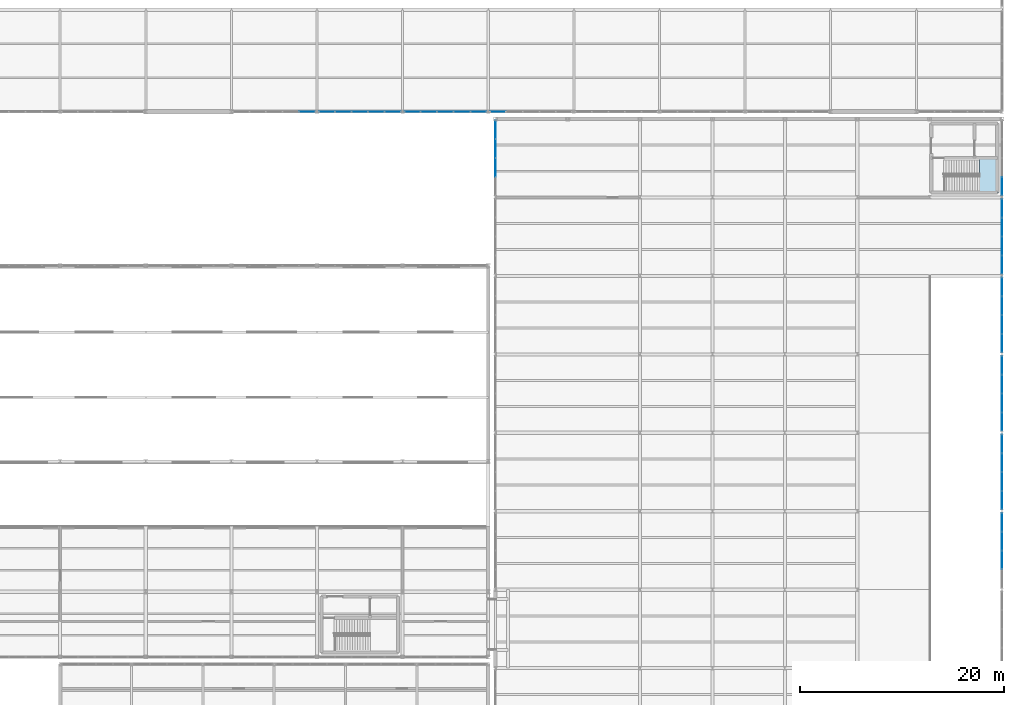
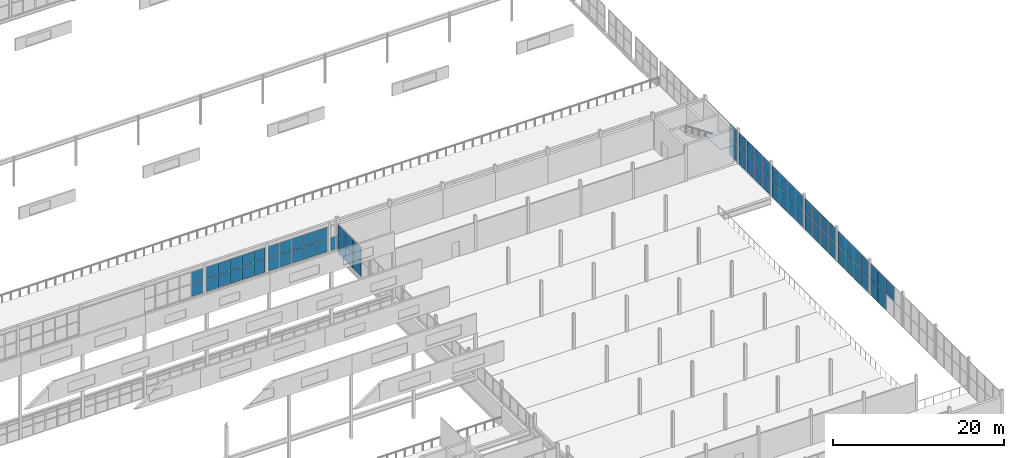
# One storey, part 189 of 218: 68 plates, 1 slab, 12 elements without a shape of their own.
"""IFC4 building model written with IfcOpenShell, lengths in metres."""

from ifc_helpers import new_model, si_unit, direction, frame, origin, origin_2d, place, context, subcontext, project, spatial, polyline, rectangle, outline, extrude, material, layer, layer_set, type_object, element, aggregate, save


model = new_model("IFC4")

# Units and contexts
model_context = context("Model", 3, precision=1e-05, world=origin(), true_north=direction((0.0, 1.0)))
body_context = subcontext(model_context, "Body", "Model", "MODEL_VIEW")
ifc_project = project(units=[si_unit("LENGTHUNIT", "METRE"), si_unit("AREAUNIT", "SQUARE_METRE"), si_unit("VOLUMEUNIT", "CUBIC_METRE"), si_unit("PLANEANGLEUNIT", "RADIAN"), si_unit("MASSUNIT", "GRAM", prefix="KILO")], contexts=[model_context])

# Site, building, storey
site_placement = place(None, origin())
site = spatial("IfcSite", under=ifc_project, at=site_placement, CompositionType="ELEMENT")
building_placement = place(site_placement, origin())
building = spatial("IfcBuilding", under=site, at=building_placement, Name="Kazenagashi Tramway Depot", CompositionType="ELEMENT")
storey_placement = place(building_placement, frame((0.0, 0.0, 6.0)))
storey = spatial("IfcBuildingStorey", under=building, at=storey_placement, Name="L02", CompositionType="ELEMENT", Elevation=6.0)

# Curtain wall, plates
ifc_material_1 = material(Name="Anodised Aluminium and Low-E Glazing", Category="aluminium")
curtain_wall_type_1 = type_object("IfcCurtainWallType", Name="CW-23", PredefinedType="USERDEFINED", material=ifc_material_1)
curtain_wall_1_placement = place(storey_placement, origin())
curtain_wall_1 = element("IfcCurtainWall", 1, at=curtain_wall_1_placement, inside=storey, type_object=curtain_wall_type_1, Name="Industrial Glazed Screen CW-23 CW-0129", ObjectType="GLAZED SCREEN", PredefinedType="USERDEFINED")
ifc_material_2 = material(Name="Tempered Laminated Low-E Glass", Category="glass")
ifc_layer_1 = layer(ifc_material_2, 0.016)
ifc_layer_set_1 = layer_set([ifc_layer_1], Name="Tempered Laminated Low-E Glass")
plate_type_1 = type_object("IfcPlateType", Name="GL-01", PredefinedType="CURTAIN_PANEL", material=ifc_layer_set_1)
plate_1_placement = place(storey_placement, frame((196.0, 31.8825, 0.06), z_axis=(0.0, 0.0, 1.0), x_axis=(0.0, 1.0, 0.0)))
plate_1 = element("IfcPlate", 2, at=plate_1_placement, type_object=plate_type_1, Name="CW-23 panel 1.1", PredefinedType="CURTAIN_PANEL", context=body_context, shape_type="SweptSolid", body=[
    extrude(rectangle(XDim=1.765, YDim=0.016, at=origin_2d()), origin(), (0.0, 0.0, 1.0), 2.302),
])
plate_2_placement = place(storey_placement, frame((196.0, 31.8825, 2.422), z_axis=(0.0, 0.0, 1.0), x_axis=(0.0, 1.0, 0.0)))
plate_2 = element("IfcPlate", 3, at=plate_2_placement, type_object=plate_type_1, Name="CW-23 panel 1.2", PredefinedType="CURTAIN_PANEL", context=body_context, shape_type="SweptSolid", body=[
    extrude(rectangle(XDim=1.765, YDim=0.016, at=origin_2d()), origin(), (0.0, 0.0, 1.0), 2.118),
])
plate_3_placement = place(storey_placement, frame((196.0, 33.7225, 0.06), z_axis=(0.0, 0.0, 1.0), x_axis=(0.0, 1.0, 0.0)))
plate_3 = element("IfcPlate", 4, at=plate_3_placement, type_object=plate_type_1, Name="CW-23 panel 2.1", PredefinedType="CURTAIN_PANEL", context=body_context, shape_type="SweptSolid", body=[
    extrude(rectangle(XDim=1.795, YDim=0.016, at=origin_2d()), origin(), (0.0, 0.0, 1.0), 2.302),
])
plate_4_placement = place(storey_placement, frame((196.0, 33.7225, 2.422), z_axis=(0.0, 0.0, 1.0), x_axis=(0.0, 1.0, 0.0)))
plate_4 = element("IfcPlate", 5, at=plate_4_placement, type_object=plate_type_1, Name="CW-23 panel 2.2", PredefinedType="CURTAIN_PANEL", context=body_context, shape_type="SweptSolid", body=[
    extrude(rectangle(XDim=1.795, YDim=0.016, at=origin_2d()), origin(), (0.0, 0.0, 1.0), 2.118),
])
plate_5_placement = place(storey_placement, frame((196.0, 35.5775, 0.06), z_axis=(0.0, 0.0, 1.0), x_axis=(0.0, 1.0, 0.0)))
plate_5 = element("IfcPlate", 6, at=plate_5_placement, type_object=plate_type_1, Name="CW-23 panel 3.1", PredefinedType="CURTAIN_PANEL", context=body_context, shape_type="SweptSolid", body=[
    extrude(rectangle(XDim=1.795, YDim=0.016, at=origin_2d()), origin(), (0.0, 0.0, 1.0), 2.302),
])
plate_6_placement = place(storey_placement, frame((196.0, 35.5775, 2.422), z_axis=(0.0, 0.0, 1.0), x_axis=(0.0, 1.0, 0.0)))
plate_6 = element("IfcPlate", 7, at=plate_6_placement, type_object=plate_type_1, Name="CW-23 panel 3.2", PredefinedType="CURTAIN_PANEL", context=body_context, shape_type="SweptSolid", body=[
    extrude(rectangle(XDim=1.795, YDim=0.016, at=origin_2d()), origin(), (0.0, 0.0, 1.0), 2.118),
])
plate_7_placement = place(storey_placement, frame((196.0, 37.4175, 0.06), z_axis=(0.0, 0.0, 1.0), x_axis=(0.0, 1.0, 0.0)))
plate_7 = element("IfcPlate", 8, at=plate_7_placement, type_object=plate_type_1, Name="CW-23 panel 4.1", PredefinedType="CURTAIN_PANEL", context=body_context, shape_type="SweptSolid", body=[
    extrude(rectangle(XDim=1.765, YDim=0.016, at=origin_2d()), origin(), (0.0, 0.0, 1.0), 2.302),
])
plate_8_placement = place(storey_placement, frame((196.0, 37.4175, 2.422), z_axis=(0.0, 0.0, 1.0), x_axis=(0.0, 1.0, 0.0)))
plate_8 = element("IfcPlate", 9, at=plate_8_placement, type_object=plate_type_1, Name="CW-23 panel 4.2", PredefinedType="CURTAIN_PANEL", context=body_context, shape_type="SweptSolid", body=[
    extrude(rectangle(XDim=1.765, YDim=0.016, at=origin_2d()), origin(), (0.0, 0.0, 1.0), 2.118),
])
aggregate(curtain_wall_1, [plate_1, plate_2, plate_3, plate_4, plate_5, plate_6, plate_7, plate_8])

curtain_wall_2_placement = place(storey_placement, origin())
curtain_wall_2 = element("IfcCurtainWall", 10, at=curtain_wall_2_placement, inside=storey, type_object=curtain_wall_type_1, Name="Industrial Glazed Screen CW-23 CW-0130", ObjectType="GLAZED SCREEN", PredefinedType="USERDEFINED")
ifc_layer_2 = layer(ifc_material_2, 0.018)
ifc_layer_set_2 = layer_set([ifc_layer_2], Name="Tempered Laminated Low-E Glass")
plate_type_2 = type_object("IfcPlateType", Name="GL-02", PredefinedType="CURTAIN_PANEL", material=ifc_layer_set_2)
plate_9_placement = place(storey_placement, frame((196.0, 39.5825, 0.06), z_axis=(0.0, 0.0, 1.0), x_axis=(0.0, 1.0, 0.0)))
plate_9 = element("IfcPlate", 11, at=plate_9_placement, type_object=plate_type_2, Name="CW-23 panel 1.1", PredefinedType="CURTAIN_PANEL", context=body_context, shape_type="SweptSolid", body=[
    extrude(rectangle(XDim=1.765, YDim=0.018, at=origin_2d()), origin(), (0.0, 0.0, 1.0), 2.302),
])
plate_10_placement = place(storey_placement, frame((196.0, 39.5825, 2.422), z_axis=(0.0, 0.0, 1.0), x_axis=(0.0, 1.0, 0.0)))
plate_10 = element("IfcPlate", 12, at=plate_10_placement, type_object=plate_type_2, Name="CW-23 panel 1.2", PredefinedType="CURTAIN_PANEL", context=body_context, shape_type="SweptSolid", body=[
    extrude(rectangle(XDim=1.765, YDim=0.018, at=origin_2d()), origin(), (0.0, 0.0, 1.0), 2.118),
])
plate_11_placement = place(storey_placement, frame((196.0, 41.4225, 0.06), z_axis=(0.0, 0.0, 1.0), x_axis=(0.0, 1.0, 0.0)))
plate_11 = element("IfcPlate", 13, at=plate_11_placement, type_object=plate_type_2, Name="CW-23 panel 2.1", PredefinedType="CURTAIN_PANEL", context=body_context, shape_type="SweptSolid", body=[
    extrude(rectangle(XDim=1.795, YDim=0.018, at=origin_2d()), origin(), (0.0, 0.0, 1.0), 2.302),
])
plate_12_placement = place(storey_placement, frame((196.0, 41.4225, 2.422), z_axis=(0.0, 0.0, 1.0), x_axis=(0.0, 1.0, 0.0)))
plate_12 = element("IfcPlate", 14, at=plate_12_placement, type_object=plate_type_2, Name="CW-23 panel 2.2", PredefinedType="CURTAIN_PANEL", context=body_context, shape_type="SweptSolid", body=[
    extrude(rectangle(XDim=1.795, YDim=0.018, at=origin_2d()), origin(), (0.0, 0.0, 1.0), 2.118),
])
plate_13_placement = place(storey_placement, frame((196.0, 43.2775, 0.06), z_axis=(0.0, 0.0, 1.0), x_axis=(0.0, 1.0, 0.0)))
plate_13 = element("IfcPlate", 15, at=plate_13_placement, type_object=plate_type_2, Name="CW-23 panel 3.1", PredefinedType="CURTAIN_PANEL", context=body_context, shape_type="SweptSolid", body=[
    extrude(rectangle(XDim=1.795, YDim=0.018, at=origin_2d()), origin(), (0.0, 0.0, 1.0), 2.302),
])
plate_14_placement = place(storey_placement, frame((196.0, 43.2775, 2.422), z_axis=(0.0, 0.0, 1.0), x_axis=(0.0, 1.0, 0.0)))
plate_14 = element("IfcPlate", 16, at=plate_14_placement, type_object=plate_type_2, Name="CW-23 panel 3.2", PredefinedType="CURTAIN_PANEL", context=body_context, shape_type="SweptSolid", body=[
    extrude(rectangle(XDim=1.795, YDim=0.018, at=origin_2d()), origin(), (0.0, 0.0, 1.0), 2.118),
])
plate_15_placement = place(storey_placement, frame((196.0, 45.1175, 0.06), z_axis=(0.0, 0.0, 1.0), x_axis=(0.0, 1.0, 0.0)))
plate_15 = element("IfcPlate", 17, at=plate_15_placement, type_object=plate_type_2, Name="CW-23 panel 4.1", PredefinedType="CURTAIN_PANEL", context=body_context, shape_type="SweptSolid", body=[
    extrude(rectangle(XDim=1.765, YDim=0.018, at=origin_2d()), origin(), (0.0, 0.0, 1.0), 2.302),
])
plate_16_placement = place(storey_placement, frame((196.0, 45.1175, 2.422), z_axis=(0.0, 0.0, 1.0), x_axis=(0.0, 1.0, 0.0)))
plate_16 = element("IfcPlate", 18, at=plate_16_placement, type_object=plate_type_2, Name="CW-23 panel 4.2", PredefinedType="CURTAIN_PANEL", context=body_context, shape_type="SweptSolid", body=[
    extrude(rectangle(XDim=1.765, YDim=0.018, at=origin_2d()), origin(), (0.0, 0.0, 1.0), 2.118),
])
aggregate(curtain_wall_2, [plate_9, plate_10, plate_11, plate_12, plate_13, plate_14, plate_15, plate_16])

curtain_wall_3_placement = place(storey_placement, origin())
curtain_wall_3 = element("IfcCurtainWall", 19, at=curtain_wall_3_placement, inside=storey, type_object=curtain_wall_type_1, Name="Industrial Glazed Screen CW-23 CW-0131", ObjectType="GLAZED SCREEN", PredefinedType="USERDEFINED")
ifc_layer_3 = layer(ifc_material_2, 0.02)
ifc_layer_set_3 = layer_set([ifc_layer_3], Name="Tempered Laminated Low-E Glass")
plate_type_3 = type_object("IfcPlateType", Name="GL-03", PredefinedType="CURTAIN_PANEL", material=ifc_layer_set_3)
plate_17_placement = place(storey_placement, frame((196.0, 47.2825, 0.06), z_axis=(0.0, 0.0, 1.0), x_axis=(0.0, 1.0, 0.0)))
plate_17 = element("IfcPlate", 20, at=plate_17_placement, type_object=plate_type_3, Name="CW-23 panel 1.1", PredefinedType="CURTAIN_PANEL", context=body_context, shape_type="SweptSolid", body=[
    extrude(rectangle(XDim=1.765, YDim=0.02, at=origin_2d()), origin(), (0.0, 0.0, 1.0), 2.302),
])
plate_18_placement = place(storey_placement, frame((196.0, 47.2825, 2.422), z_axis=(0.0, 0.0, 1.0), x_axis=(0.0, 1.0, 0.0)))
plate_18 = element("IfcPlate", 21, at=plate_18_placement, type_object=plate_type_3, Name="CW-23 panel 1.2", PredefinedType="CURTAIN_PANEL", context=body_context, shape_type="SweptSolid", body=[
    extrude(rectangle(XDim=1.765, YDim=0.02, at=origin_2d()), origin(), (0.0, 0.0, 1.0), 2.118),
])
plate_19_placement = place(storey_placement, frame((196.0, 49.1225, 0.06), z_axis=(0.0, 0.0, 1.0), x_axis=(0.0, 1.0, 0.0)))
plate_19 = element("IfcPlate", 22, at=plate_19_placement, type_object=plate_type_3, Name="CW-23 panel 2.1", PredefinedType="CURTAIN_PANEL", context=body_context, shape_type="SweptSolid", body=[
    extrude(rectangle(XDim=1.795, YDim=0.02, at=origin_2d()), origin(), (0.0, 0.0, 1.0), 2.302),
])
plate_20_placement = place(storey_placement, frame((196.0, 49.1225, 2.422), z_axis=(0.0, 0.0, 1.0), x_axis=(0.0, 1.0, 0.0)))
plate_20 = element("IfcPlate", 23, at=plate_20_placement, type_object=plate_type_3, Name="CW-23 panel 2.2", PredefinedType="CURTAIN_PANEL", context=body_context, shape_type="SweptSolid", body=[
    extrude(rectangle(XDim=1.795, YDim=0.02, at=origin_2d()), origin(), (0.0, 0.0, 1.0), 2.118),
])
plate_21_placement = place(storey_placement, frame((196.0, 50.9775, 0.06), z_axis=(0.0, 0.0, 1.0), x_axis=(0.0, 1.0, 0.0)))
plate_21 = element("IfcPlate", 24, at=plate_21_placement, type_object=plate_type_3, Name="CW-23 panel 3.1", PredefinedType="CURTAIN_PANEL", context=body_context, shape_type="SweptSolid", body=[
    extrude(rectangle(XDim=1.795, YDim=0.02, at=origin_2d()), origin(), (0.0, 0.0, 1.0), 2.302),
])
plate_22_placement = place(storey_placement, frame((196.0, 50.9775, 2.422), z_axis=(0.0, 0.0, 1.0), x_axis=(0.0, 1.0, 0.0)))
plate_22 = element("IfcPlate", 25, at=plate_22_placement, type_object=plate_type_3, Name="CW-23 panel 3.2", PredefinedType="CURTAIN_PANEL", context=body_context, shape_type="SweptSolid", body=[
    extrude(rectangle(XDim=1.795, YDim=0.02, at=origin_2d()), origin(), (0.0, 0.0, 1.0), 2.118),
])
plate_23_placement = place(storey_placement, frame((196.0, 52.8175, 0.06), z_axis=(0.0, 0.0, 1.0), x_axis=(0.0, 1.0, 0.0)))
plate_23 = element("IfcPlate", 26, at=plate_23_placement, type_object=plate_type_3, Name="CW-23 panel 4.1", PredefinedType="CURTAIN_PANEL", context=body_context, shape_type="SweptSolid", body=[
    extrude(rectangle(XDim=1.765, YDim=0.02, at=origin_2d()), origin(), (0.0, 0.0, 1.0), 2.302),
])
plate_24_placement = place(storey_placement, frame((196.0, 52.8175, 2.422), z_axis=(0.0, 0.0, 1.0), x_axis=(0.0, 1.0, 0.0)))
plate_24 = element("IfcPlate", 27, at=plate_24_placement, type_object=plate_type_3, Name="CW-23 panel 4.2", PredefinedType="CURTAIN_PANEL", context=body_context, shape_type="SweptSolid", body=[
    extrude(rectangle(XDim=1.765, YDim=0.02, at=origin_2d()), origin(), (0.0, 0.0, 1.0), 2.118),
])
aggregate(curtain_wall_3, [plate_17, plate_18, plate_19, plate_20, plate_21, plate_22, plate_23, plate_24])

curtain_wall_type_2 = type_object("IfcCurtainWallType", Name="CW-11", PredefinedType="USERDEFINED", material=ifc_material_1)
curtain_wall_4_placement = place(storey_placement, origin())
curtain_wall_4 = element("IfcCurtainWall", 28, at=curtain_wall_4_placement, inside=storey, type_object=curtain_wall_type_2, Name="Industrial Glazed Screen CW-11 CW-0036", ObjectType="GLAZED SCREEN", PredefinedType="USERDEFINED")
ifc_layer_4 = layer(ifc_material_2, 0.022)
ifc_layer_set_4 = layer_set([ifc_layer_4], Name="Tempered Laminated Low-E Glass")
plate_type_4 = type_object("IfcPlateType", Name="GL-04", PredefinedType="CURTAIN_PANEL", material=ifc_layer_set_4)
plate_25_placement = place(storey_placement, frame((127.833, 70.0, 0.06), z_axis=(0.0, 0.0, 1.0), x_axis=(1.0, 0.0, 0.0)))
plate_25 = element("IfcPlate", 29, at=plate_25_placement, type_object=plate_type_4, Name="CW-11 panel 5.1", PredefinedType="CURTAIN_PANEL", context=body_context, shape_type="SweptSolid", body=[
    extrude(rectangle(XDim=1.534, YDim=0.022, at=origin_2d()), origin(), (0.0, 0.0, 1.0), 1.788),
])
plate_26_placement = place(storey_placement, frame((127.833, 70.0, 1.908), z_axis=(0.0, 0.0, 1.0), x_axis=(1.0, 0.0, 0.0)))
plate_26 = element("IfcPlate", 30, at=plate_26_placement, type_object=plate_type_4, Name="CW-11 panel 5.2", PredefinedType="CURTAIN_PANEL", context=body_context, shape_type="SweptSolid", body=[
    extrude(rectangle(XDim=1.534, YDim=0.022, at=origin_2d()), origin(), (0.0, 0.0, 1.0), 1.644),
])
aggregate(curtain_wall_4, [plate_25, plate_26])

curtain_wall_5_placement = place(storey_placement, origin())
curtain_wall_5 = element("IfcCurtainWall", 31, at=curtain_wall_5_placement, inside=storey, type_object=curtain_wall_type_1, Name="Industrial Glazed Screen CW-23 CW-0132", ObjectType="GLAZED SCREEN", PredefinedType="USERDEFINED")
plate_27_placement = place(storey_placement, frame((196.0, 54.9825, 0.06), z_axis=(0.0, 0.0, 1.0), x_axis=(0.0, 1.0, 0.0)))
plate_27 = element("IfcPlate", 32, at=plate_27_placement, type_object=plate_type_4, Name="CW-23 panel 1.1", PredefinedType="CURTAIN_PANEL", context=body_context, shape_type="SweptSolid", body=[
    extrude(rectangle(XDim=1.765, YDim=0.022, at=origin_2d()), origin(), (0.0, 0.0, 1.0), 2.302),
])
plate_28_placement = place(storey_placement, frame((196.0, 54.9825, 2.422), z_axis=(0.0, 0.0, 1.0), x_axis=(0.0, 1.0, 0.0)))
plate_28 = element("IfcPlate", 33, at=plate_28_placement, type_object=plate_type_4, Name="CW-23 panel 1.2", PredefinedType="CURTAIN_PANEL", context=body_context, shape_type="SweptSolid", body=[
    extrude(rectangle(XDim=1.765, YDim=0.022, at=origin_2d()), origin(), (0.0, 0.0, 1.0), 2.118),
])
plate_29_placement = place(storey_placement, frame((196.0, 56.8225, 0.06), z_axis=(0.0, 0.0, 1.0), x_axis=(0.0, 1.0, 0.0)))
plate_29 = element("IfcPlate", 34, at=plate_29_placement, type_object=plate_type_4, Name="CW-23 panel 2.1", PredefinedType="CURTAIN_PANEL", context=body_context, shape_type="SweptSolid", body=[
    extrude(rectangle(XDim=1.795, YDim=0.022, at=origin_2d()), origin(), (0.0, 0.0, 1.0), 2.302),
])
plate_30_placement = place(storey_placement, frame((196.0, 56.8225, 2.422), z_axis=(0.0, 0.0, 1.0), x_axis=(0.0, 1.0, 0.0)))
plate_30 = element("IfcPlate", 35, at=plate_30_placement, type_object=plate_type_4, Name="CW-23 panel 2.2", PredefinedType="CURTAIN_PANEL", context=body_context, shape_type="SweptSolid", body=[
    extrude(rectangle(XDim=1.795, YDim=0.022, at=origin_2d()), origin(), (0.0, 0.0, 1.0), 2.118),
])
plate_31_placement = place(storey_placement, frame((196.0, 58.6775, 0.06), z_axis=(0.0, 0.0, 1.0), x_axis=(0.0, 1.0, 0.0)))
plate_31 = element("IfcPlate", 36, at=plate_31_placement, type_object=plate_type_4, Name="CW-23 panel 3.1", PredefinedType="CURTAIN_PANEL", context=body_context, shape_type="SweptSolid", body=[
    extrude(rectangle(XDim=1.795, YDim=0.022, at=origin_2d()), origin(), (0.0, 0.0, 1.0), 2.302),
])
plate_32_placement = place(storey_placement, frame((196.0, 58.6775, 2.422), z_axis=(0.0, 0.0, 1.0), x_axis=(0.0, 1.0, 0.0)))
plate_32 = element("IfcPlate", 37, at=plate_32_placement, type_object=plate_type_4, Name="CW-23 panel 3.2", PredefinedType="CURTAIN_PANEL", context=body_context, shape_type="SweptSolid", body=[
    extrude(rectangle(XDim=1.795, YDim=0.022, at=origin_2d()), origin(), (0.0, 0.0, 1.0), 2.118),
])
plate_33_placement = place(storey_placement, frame((196.0, 60.5175, 0.06), z_axis=(0.0, 0.0, 1.0), x_axis=(0.0, 1.0, 0.0)))
plate_33 = element("IfcPlate", 38, at=plate_33_placement, type_object=plate_type_4, Name="CW-23 panel 4.1", PredefinedType="CURTAIN_PANEL", context=body_context, shape_type="SweptSolid", body=[
    extrude(rectangle(XDim=1.765, YDim=0.022, at=origin_2d()), origin(), (0.0, 0.0, 1.0), 2.302),
])
plate_34_placement = place(storey_placement, frame((196.0, 60.5175, 2.422), z_axis=(0.0, 0.0, 1.0), x_axis=(0.0, 1.0, 0.0)))
plate_34 = element("IfcPlate", 39, at=plate_34_placement, type_object=plate_type_4, Name="CW-23 panel 4.2", PredefinedType="CURTAIN_PANEL", context=body_context, shape_type="SweptSolid", body=[
    extrude(rectangle(XDim=1.765, YDim=0.022, at=origin_2d()), origin(), (0.0, 0.0, 1.0), 2.118),
])
aggregate(curtain_wall_5, [plate_27, plate_28, plate_29, plate_30, plate_31, plate_32, plate_33, plate_34])

curtain_wall_6_placement = place(storey_placement, origin())
curtain_wall_6 = element("IfcCurtainWall", 40, at=curtain_wall_6_placement, inside=storey, type_object=curtain_wall_type_1, Name="Industrial Glazed Screen CW-23 CW-0133", ObjectType="GLAZED SCREEN", PredefinedType="USERDEFINED")
ifc_layer_5 = layer(ifc_material_2, 0.024)
ifc_layer_set_5 = layer_set([ifc_layer_5], Name="Tempered Laminated Low-E Glass")
plate_type_5 = type_object("IfcPlateType", Name="GL-05", PredefinedType="CURTAIN_PANEL", material=ifc_layer_set_5)
plate_35_placement = place(storey_placement, frame((196.0, 62.6825, 0.06), z_axis=(0.0, 0.0, 1.0), x_axis=(0.0, 1.0, 0.0)))
plate_35 = element("IfcPlate", 41, at=plate_35_placement, type_object=plate_type_5, Name="CW-23 panel 1.1", PredefinedType="CURTAIN_PANEL", context=body_context, shape_type="SweptSolid", body=[
    extrude(rectangle(XDim=1.765, YDim=0.024, at=origin_2d()), origin(), (0.0, 0.0, 1.0), 2.302),
])
plate_36_placement = place(storey_placement, frame((196.0, 62.6825, 2.422), z_axis=(0.0, 0.0, 1.0), x_axis=(0.0, 1.0, 0.0)))
plate_36 = element("IfcPlate", 42, at=plate_36_placement, type_object=plate_type_5, Name="CW-23 panel 1.2", PredefinedType="CURTAIN_PANEL", context=body_context, shape_type="SweptSolid", body=[
    extrude(rectangle(XDim=1.765, YDim=0.024, at=origin_2d()), origin(), (0.0, 0.0, 1.0), 2.118),
])
aggregate(curtain_wall_6, [plate_35, plate_36])

curtain_wall_7_placement = place(storey_placement, origin())
curtain_wall_7 = element("IfcCurtainWall", 43, at=curtain_wall_7_placement, inside=storey, type_object=curtain_wall_type_2, Name="Industrial Glazed Screen CW-11 CW-0039", ObjectType="GLAZED SCREEN", PredefinedType="USERDEFINED")
ifc_layer_6 = layer(ifc_material_2, 0.028)
ifc_layer_set_6 = layer_set([ifc_layer_6], Name="Tempered Laminated Low-E Glass")
plate_type_6 = type_object("IfcPlateType", Name="GL-07", PredefinedType="CURTAIN_PANEL", material=ifc_layer_set_6)
plate_37_placement = place(storey_placement, frame((129.767, 70.0, 0.06), z_axis=(0.0, 0.0, 1.0), x_axis=(1.0, 0.0, 0.0)))
plate_37 = element("IfcPlate", 44, at=plate_37_placement, type_object=plate_type_6, Name="CW-11 panel 1.1", PredefinedType="CURTAIN_PANEL", context=body_context, shape_type="SweptSolid", body=[
    extrude(rectangle(XDim=1.534, YDim=0.028, at=origin_2d()), origin(), (0.0, 0.0, 1.0), 1.788),
])
plate_38_placement = place(storey_placement, frame((129.767, 70.0, 1.908), z_axis=(0.0, 0.0, 1.0), x_axis=(1.0, 0.0, 0.0)))
plate_38 = element("IfcPlate", 45, at=plate_38_placement, type_object=plate_type_6, Name="CW-11 panel 1.2", PredefinedType="CURTAIN_PANEL", context=body_context, shape_type="SweptSolid", body=[
    extrude(rectangle(XDim=1.534, YDim=0.028, at=origin_2d()), origin(), (0.0, 0.0, 1.0), 1.644),
])
plate_39_placement = place(storey_placement, frame((131.376, 70.0, 0.06), z_axis=(0.0, 0.0, 1.0), x_axis=(1.0, 0.0, 0.0)))
plate_39 = element("IfcPlate", 46, at=plate_39_placement, type_object=plate_type_6, Name="CW-11 panel 2.1", PredefinedType="CURTAIN_PANEL", context=body_context, shape_type="SweptSolid", body=[
    extrude(rectangle(XDim=1.564, YDim=0.028, at=origin_2d()), origin(), (0.0, 0.0, 1.0), 1.788),
])
plate_40_placement = place(storey_placement, frame((131.376, 70.0, 1.908), z_axis=(0.0, 0.0, 1.0), x_axis=(1.0, 0.0, 0.0)))
plate_40 = element("IfcPlate", 47, at=plate_40_placement, type_object=plate_type_6, Name="CW-11 panel 2.2", PredefinedType="CURTAIN_PANEL", context=body_context, shape_type="SweptSolid", body=[
    extrude(rectangle(XDim=1.564, YDim=0.028, at=origin_2d()), origin(), (0.0, 0.0, 1.0), 1.644),
])
plate_41_placement = place(storey_placement, frame((133.0, 70.0, 0.06), z_axis=(0.0, 0.0, 1.0), x_axis=(1.0, 0.0, 0.0)))
plate_41 = element("IfcPlate", 48, at=plate_41_placement, type_object=plate_type_6, Name="CW-11 panel 3.1", PredefinedType="CURTAIN_PANEL", context=body_context, shape_type="SweptSolid", body=[
    extrude(rectangle(XDim=1.564, YDim=0.028, at=origin_2d()), origin(), (0.0, 0.0, 1.0), 1.788),
])
plate_42_placement = place(storey_placement, frame((133.0, 70.0, 1.908), z_axis=(0.0, 0.0, 1.0), x_axis=(1.0, 0.0, 0.0)))
plate_42 = element("IfcPlate", 49, at=plate_42_placement, type_object=plate_type_6, Name="CW-11 panel 3.2", PredefinedType="CURTAIN_PANEL", context=body_context, shape_type="SweptSolid", body=[
    extrude(rectangle(XDim=1.564, YDim=0.028, at=origin_2d()), origin(), (0.0, 0.0, 1.0), 1.644),
])
plate_43_placement = place(storey_placement, frame((134.624, 70.0, 0.06), z_axis=(0.0, 0.0, 1.0), x_axis=(1.0, 0.0, 0.0)))
plate_43 = element("IfcPlate", 50, at=plate_43_placement, type_object=plate_type_6, Name="CW-11 panel 4.1", PredefinedType="CURTAIN_PANEL", context=body_context, shape_type="SweptSolid", body=[
    extrude(rectangle(XDim=1.564, YDim=0.028, at=origin_2d()), origin(), (0.0, 0.0, 1.0), 1.788),
])
plate_44_placement = place(storey_placement, frame((134.624, 70.0, 1.908), z_axis=(0.0, 0.0, 1.0), x_axis=(1.0, 0.0, 0.0)))
plate_44 = element("IfcPlate", 51, at=plate_44_placement, type_object=plate_type_6, Name="CW-11 panel 4.2", PredefinedType="CURTAIN_PANEL", context=body_context, shape_type="SweptSolid", body=[
    extrude(rectangle(XDim=1.564, YDim=0.028, at=origin_2d()), origin(), (0.0, 0.0, 1.0), 1.644),
])
plate_45_placement = place(storey_placement, frame((136.233, 70.0, 0.06), z_axis=(0.0, 0.0, 1.0), x_axis=(1.0, 0.0, 0.0)))
plate_45 = element("IfcPlate", 52, at=plate_45_placement, type_object=plate_type_6, Name="CW-11 panel 5.1", PredefinedType="CURTAIN_PANEL", context=body_context, shape_type="SweptSolid", body=[
    extrude(rectangle(XDim=1.534, YDim=0.028, at=origin_2d()), origin(), (0.0, 0.0, 1.0), 1.788),
])
plate_46_placement = place(storey_placement, frame((136.233, 70.0, 1.908), z_axis=(0.0, 0.0, 1.0), x_axis=(1.0, 0.0, 0.0)))
plate_46 = element("IfcPlate", 53, at=plate_46_placement, type_object=plate_type_6, Name="CW-11 panel 5.2", PredefinedType="CURTAIN_PANEL", context=body_context, shape_type="SweptSolid", body=[
    extrude(rectangle(XDim=1.534, YDim=0.028, at=origin_2d()), origin(), (0.0, 0.0, 1.0), 1.644),
])
aggregate(curtain_wall_7, [plate_37, plate_38, plate_39, plate_40, plate_41, plate_42, plate_43, plate_44, plate_45, plate_46])

curtain_wall_8_placement = place(storey_placement, origin())
curtain_wall_8 = element("IfcCurtainWall", 54, at=curtain_wall_8_placement, inside=storey, type_object=curtain_wall_type_2, Name="Industrial Glazed Screen CW-11 CW-0040", ObjectType="GLAZED SCREEN", PredefinedType="USERDEFINED")
ifc_layer_7 = layer(ifc_material_2, 0.03)
ifc_layer_set_7 = layer_set([ifc_layer_7], Name="Tempered Laminated Low-E Glass")
plate_type_7 = type_object("IfcPlateType", Name="GL-08", PredefinedType="CURTAIN_PANEL", material=ifc_layer_set_7)
plate_47_placement = place(storey_placement, frame((138.167, 70.0, 0.06), z_axis=(0.0, 0.0, 1.0), x_axis=(1.0, 0.0, 0.0)))
plate_47 = element("IfcPlate", 55, at=plate_47_placement, type_object=plate_type_7, Name="CW-11 panel 1.1", PredefinedType="CURTAIN_PANEL", context=body_context, shape_type="SweptSolid", body=[
    extrude(rectangle(XDim=1.534, YDim=0.03, at=origin_2d()), origin(), (0.0, 0.0, 1.0), 1.788),
])
plate_48_placement = place(storey_placement, frame((138.167, 70.0, 1.908), z_axis=(0.0, 0.0, 1.0), x_axis=(1.0, 0.0, 0.0)))
plate_48 = element("IfcPlate", 56, at=plate_48_placement, type_object=plate_type_7, Name="CW-11 panel 1.2", PredefinedType="CURTAIN_PANEL", context=body_context, shape_type="SweptSolid", body=[
    extrude(rectangle(XDim=1.534, YDim=0.03, at=origin_2d()), origin(), (0.0, 0.0, 1.0), 1.644),
])
plate_49_placement = place(storey_placement, frame((139.776, 70.0, 0.06), z_axis=(0.0, 0.0, 1.0), x_axis=(1.0, 0.0, 0.0)))
plate_49 = element("IfcPlate", 57, at=plate_49_placement, type_object=plate_type_7, Name="CW-11 panel 2.1", PredefinedType="CURTAIN_PANEL", context=body_context, shape_type="SweptSolid", body=[
    extrude(rectangle(XDim=1.564, YDim=0.03, at=origin_2d()), origin(), (0.0, 0.0, 1.0), 1.788),
])
plate_50_placement = place(storey_placement, frame((139.776, 70.0, 1.908), z_axis=(0.0, 0.0, 1.0), x_axis=(1.0, 0.0, 0.0)))
plate_50 = element("IfcPlate", 58, at=plate_50_placement, type_object=plate_type_7, Name="CW-11 panel 2.2", PredefinedType="CURTAIN_PANEL", context=body_context, shape_type="SweptSolid", body=[
    extrude(rectangle(XDim=1.564, YDim=0.03, at=origin_2d()), origin(), (0.0, 0.0, 1.0), 1.644),
])
plate_51_placement = place(storey_placement, frame((141.4, 70.0, 0.06), z_axis=(0.0, 0.0, 1.0), x_axis=(1.0, 0.0, 0.0)))
plate_51 = element("IfcPlate", 59, at=plate_51_placement, type_object=plate_type_7, Name="CW-11 panel 3.1", PredefinedType="CURTAIN_PANEL", context=body_context, shape_type="SweptSolid", body=[
    extrude(rectangle(XDim=1.564, YDim=0.03, at=origin_2d()), origin(), (0.0, 0.0, 1.0), 1.788),
])
plate_52_placement = place(storey_placement, frame((141.4, 70.0, 1.908), z_axis=(0.0, 0.0, 1.0), x_axis=(1.0, 0.0, 0.0)))
plate_52 = element("IfcPlate", 60, at=plate_52_placement, type_object=plate_type_7, Name="CW-11 panel 3.2", PredefinedType="CURTAIN_PANEL", context=body_context, shape_type="SweptSolid", body=[
    extrude(rectangle(XDim=1.564, YDim=0.03, at=origin_2d()), origin(), (0.0, 0.0, 1.0), 1.644),
])
plate_53_placement = place(storey_placement, frame((143.024, 70.0, 0.06), z_axis=(0.0, 0.0, 1.0), x_axis=(1.0, 0.0, 0.0)))
plate_53 = element("IfcPlate", 61, at=plate_53_placement, type_object=plate_type_7, Name="CW-11 panel 4.1", PredefinedType="CURTAIN_PANEL", context=body_context, shape_type="SweptSolid", body=[
    extrude(rectangle(XDim=1.564, YDim=0.03, at=origin_2d()), origin(), (0.0, 0.0, 1.0), 1.788),
])
plate_54_placement = place(storey_placement, frame((143.024, 70.0, 1.908), z_axis=(0.0, 0.0, 1.0), x_axis=(1.0, 0.0, 0.0)))
plate_54 = element("IfcPlate", 62, at=plate_54_placement, type_object=plate_type_7, Name="CW-11 panel 4.2", PredefinedType="CURTAIN_PANEL", context=body_context, shape_type="SweptSolid", body=[
    extrude(rectangle(XDim=1.564, YDim=0.03, at=origin_2d()), origin(), (0.0, 0.0, 1.0), 1.644),
])
plate_55_placement = place(storey_placement, frame((144.633, 70.0, 0.06), z_axis=(0.0, 0.0, 1.0), x_axis=(1.0, 0.0, 0.0)))
plate_55 = element("IfcPlate", 63, at=plate_55_placement, type_object=plate_type_7, Name="CW-11 panel 5.1", PredefinedType="CURTAIN_PANEL", context=body_context, shape_type="SweptSolid", body=[
    extrude(rectangle(XDim=1.534, YDim=0.03, at=origin_2d()), origin(), (0.0, 0.0, 1.0), 1.788),
])
plate_56_placement = place(storey_placement, frame((144.633, 70.0, 1.908), z_axis=(0.0, 0.0, 1.0), x_axis=(1.0, 0.0, 0.0)))
plate_56 = element("IfcPlate", 64, at=plate_56_placement, type_object=plate_type_7, Name="CW-11 panel 5.2", PredefinedType="CURTAIN_PANEL", context=body_context, shape_type="SweptSolid", body=[
    extrude(rectangle(XDim=1.534, YDim=0.03, at=origin_2d()), origin(), (0.0, 0.0, 1.0), 1.644),
])
aggregate(curtain_wall_8, [plate_47, plate_48, plate_49, plate_50, plate_51, plate_52, plate_53, plate_54, plate_55, plate_56])

# Curtain wall, plate
curtain_wall_9_placement = place(storey_placement, origin())
curtain_wall_9 = element("IfcCurtainWall", 65, at=curtain_wall_9_placement, inside=storey, type_object=curtain_wall_type_2, Name="Industrial Glazed Screen CW-11 CW-0043", ObjectType="GLAZED SCREEN", PredefinedType="USERDEFINED")
ifc_layer_8 = layer(ifc_material_2, 0.036)
ifc_layer_set_8 = layer_set([ifc_layer_8], Name="Tempered Laminated Low-E Glass")
plate_type_8 = type_object("IfcPlateType", Name="GL-11", PredefinedType="CURTAIN_PANEL", material=ifc_layer_set_8)
plate_57_placement = place(storey_placement, frame((146.567, 70.0, 0.06), z_axis=(0.0, 0.0, 1.0), x_axis=(1.0, 0.0, 0.0)))
plate_57 = element("IfcPlate", 66, at=plate_57_placement, type_object=plate_type_8, Name="CW-11 panel 1.1", PredefinedType="CURTAIN_PANEL", context=body_context, shape_type="SweptSolid", body=[
    extrude(rectangle(XDim=1.534, YDim=0.036, at=origin_2d()), origin(), (0.0, 0.0, 1.0), 1.788),
])
aggregate(curtain_wall_9, [plate_57])

# Curtain wall, plates
curtain_wall_type_3 = type_object("IfcCurtainWallType", Name="CW-31", PredefinedType="USERDEFINED", material=ifc_material_1)
curtain_wall_10_placement = place(storey_placement, origin())
curtain_wall_10 = element("IfcCurtainWall", 67, at=curtain_wall_10_placement, inside=storey, type_object=curtain_wall_type_3, Name="Industrial Glazed Screen CW-31 CW-0173", ObjectType="GLAZED SCREEN", PredefinedType="USERDEFINED")
ifc_layer_9 = layer(ifc_material_2, 0.04)
ifc_layer_set_9 = layer_set([ifc_layer_9], Name="Tempered Laminated Low-E Glass")
plate_type_9 = type_object("IfcPlateType", Name="GL-13", PredefinedType="CURTAIN_PANEL", material=ifc_layer_set_9)
plate_58_placement = place(storey_placement, frame((146.3, 64.5225, 0.06), z_axis=(0.0, 0.0, 1.0), x_axis=(0.0, 1.0, 0.0)))
plate_58 = element("IfcPlate", 68, at=plate_58_placement, type_object=plate_type_9, Name="CW-31 panel 2.1", PredefinedType="CURTAIN_PANEL", context=body_context, shape_type="SweptSolid", body=[
    extrude(rectangle(XDim=1.795, YDim=0.04, at=origin_2d()), origin(), (0.0, 0.0, 1.0), 2.12),
])
plate_59_placement = place(storey_placement, frame((146.3, 64.5225, 2.24), z_axis=(0.0, 0.0, 1.0), x_axis=(0.0, 1.0, 0.0)))
plate_59 = element("IfcPlate", 69, at=plate_59_placement, type_object=plate_type_9, Name="CW-31 panel 2.2", PredefinedType="CURTAIN_PANEL", context=body_context, shape_type="SweptSolid", body=[
    extrude(rectangle(XDim=1.795, YDim=0.04, at=origin_2d()), origin(), (0.0, 0.0, 1.0), 1.95),
])
plate_60_placement = place(storey_placement, frame((146.3, 66.3775, 0.06), z_axis=(0.0, 0.0, 1.0), x_axis=(0.0, 1.0, 0.0)))
plate_60 = element("IfcPlate", 70, at=plate_60_placement, type_object=plate_type_9, Name="CW-31 panel 3.1", PredefinedType="CURTAIN_PANEL", context=body_context, shape_type="SweptSolid", body=[
    extrude(rectangle(XDim=1.795, YDim=0.04, at=origin_2d()), origin(), (0.0, 0.0, 1.0), 2.12),
])
plate_61_placement = place(storey_placement, frame((146.3, 66.3775, 2.24), z_axis=(0.0, 0.0, 1.0), x_axis=(0.0, 1.0, 0.0)))
plate_61 = element("IfcPlate", 71, at=plate_61_placement, type_object=plate_type_9, Name="CW-31 panel 3.2", PredefinedType="CURTAIN_PANEL", context=body_context, shape_type="SweptSolid", body=[
    extrude(rectangle(XDim=1.795, YDim=0.04, at=origin_2d()), origin(), (0.0, 0.0, 1.0), 1.95),
])
plate_62_placement = place(storey_placement, frame((146.3, 68.2175, 0.06), z_axis=(0.0, 0.0, 1.0), x_axis=(0.0, 1.0, 0.0)))
plate_62 = element("IfcPlate", 72, at=plate_62_placement, type_object=plate_type_9, Name="CW-31 panel 4.1", PredefinedType="CURTAIN_PANEL", context=body_context, shape_type="SweptSolid", body=[
    extrude(rectangle(XDim=1.765, YDim=0.04, at=origin_2d()), origin(), (0.0, 0.0, 1.0), 2.12),
])
plate_63_placement = place(storey_placement, frame((146.3, 68.2175, 2.24), z_axis=(0.0, 0.0, 1.0), x_axis=(0.0, 1.0, 0.0)))
plate_63 = element("IfcPlate", 73, at=plate_63_placement, type_object=plate_type_9, Name="CW-31 panel 4.2", PredefinedType="CURTAIN_PANEL", context=body_context, shape_type="SweptSolid", body=[
    extrude(rectangle(XDim=1.765, YDim=0.04, at=origin_2d()), origin(), (0.0, 0.0, 1.0), 1.95),
])
aggregate(curtain_wall_10, [plate_58, plate_59, plate_60, plate_61, plate_62, plate_63])

curtain_wall_11_placement = place(storey_placement, origin())
curtain_wall_11 = element("IfcCurtainWall", 74, at=curtain_wall_11_placement, inside=storey, type_object=curtain_wall_type_1, Name="Industrial Glazed Screen CW-23 CW-0128", ObjectType="GLAZED SCREEN", PredefinedType="USERDEFINED")
ifc_layer_10 = layer(ifc_material_2, 0.046)
ifc_layer_set_10 = layer_set([ifc_layer_10], Name="Tempered Laminated Low-E Glass")
plate_type_10 = type_object("IfcPlateType", Name="GL-16", PredefinedType="CURTAIN_PANEL", material=ifc_layer_set_10)
plate_64_placement = place(storey_placement, frame((196.0, 26.0225, 2.422), z_axis=(0.0, 0.0, 1.0), x_axis=(0.0, 1.0, 0.0)))
plate_64 = element("IfcPlate", 75, at=plate_64_placement, type_object=plate_type_10, Name="CW-23 panel 2.2", PredefinedType="CURTAIN_PANEL", context=body_context, shape_type="SweptSolid", body=[
    extrude(rectangle(XDim=1.795, YDim=0.046, at=origin_2d()), origin(), (0.0, 0.0, 1.0), 2.118),
])
plate_65_placement = place(storey_placement, frame((196.0, 27.8775, 0.06), z_axis=(0.0, 0.0, 1.0), x_axis=(0.0, 1.0, 0.0)))
plate_65 = element("IfcPlate", 76, at=plate_65_placement, type_object=plate_type_10, Name="CW-23 panel 3.1", PredefinedType="CURTAIN_PANEL", context=body_context, shape_type="SweptSolid", body=[
    extrude(rectangle(XDim=1.795, YDim=0.046, at=origin_2d()), origin(), (0.0, 0.0, 1.0), 2.302),
])
plate_66_placement = place(storey_placement, frame((196.0, 27.8775, 2.422), z_axis=(0.0, 0.0, 1.0), x_axis=(0.0, 1.0, 0.0)))
plate_66 = element("IfcPlate", 77, at=plate_66_placement, type_object=plate_type_10, Name="CW-23 panel 3.2", PredefinedType="CURTAIN_PANEL", context=body_context, shape_type="SweptSolid", body=[
    extrude(rectangle(XDim=1.795, YDim=0.046, at=origin_2d()), origin(), (0.0, 0.0, 1.0), 2.118),
])
plate_67_placement = place(storey_placement, frame((196.0, 29.7175, 0.06), z_axis=(0.0, 0.0, 1.0), x_axis=(0.0, 1.0, 0.0)))
plate_67 = element("IfcPlate", 78, at=plate_67_placement, type_object=plate_type_10, Name="CW-23 panel 4.1", PredefinedType="CURTAIN_PANEL", context=body_context, shape_type="SweptSolid", body=[
    extrude(rectangle(XDim=1.765, YDim=0.046, at=origin_2d()), origin(), (0.0, 0.0, 1.0), 2.302),
])
plate_68_placement = place(storey_placement, frame((196.0, 29.7175, 2.422), z_axis=(0.0, 0.0, 1.0), x_axis=(0.0, 1.0, 0.0)))
plate_68 = element("IfcPlate", 79, at=plate_68_placement, type_object=plate_type_10, Name="CW-23 panel 4.2", PredefinedType="CURTAIN_PANEL", context=body_context, shape_type="SweptSolid", body=[
    extrude(rectangle(XDim=1.765, YDim=0.046, at=origin_2d()), origin(), (0.0, 0.0, 1.0), 2.118),
])
aggregate(curtain_wall_11, [plate_64, plate_65, plate_66, plate_67, plate_68])

# Stair, slab
ifc_material_3 = material(Name="Concrete Fc36", Category="concrete")
stair_type = type_object("IfcStairType", Name="ST-T3", PredefinedType="USERDEFINED", material=ifc_material_3)
stair_placement = place(storey_placement, origin())
stair = element("IfcStair", 80, at=stair_placement, inside=storey, type_object=stair_type, Name="Enclosed Escape Stair ST-26", ObjectType="TWO_RETURN_STAIR", PredefinedType="USERDEFINED")
ifc_layer_11 = layer(ifc_material_3, 0.195)
ifc_layer_set_11 = layer_set([ifc_layer_11], Name="Concrete Fc36")
slab_type = type_object("IfcSlabType", Name="SL-LD1", PredefinedType="LANDING", material=ifc_layer_set_11)
slab_placement = place(storey_placement, frame((0.0, 0.0, 2.355)))
slab = element("IfcSlab", 81, at=slab_placement, type_object=slab_type, Name="ST-26 landing 1", PredefinedType="LANDING", context=body_context, shape_type="SweptSolid", body=[
    extrude(outline(polyline([(193.808, 62.01), (195.64, 62.01), (195.64, 65.5), (193.808, 65.5), (193.808, 62.01)])), origin(), (0.0, 0.0, 1.0), 0.195),
])
aggregate(stair, [slab])

save(model, "model.ifc")
